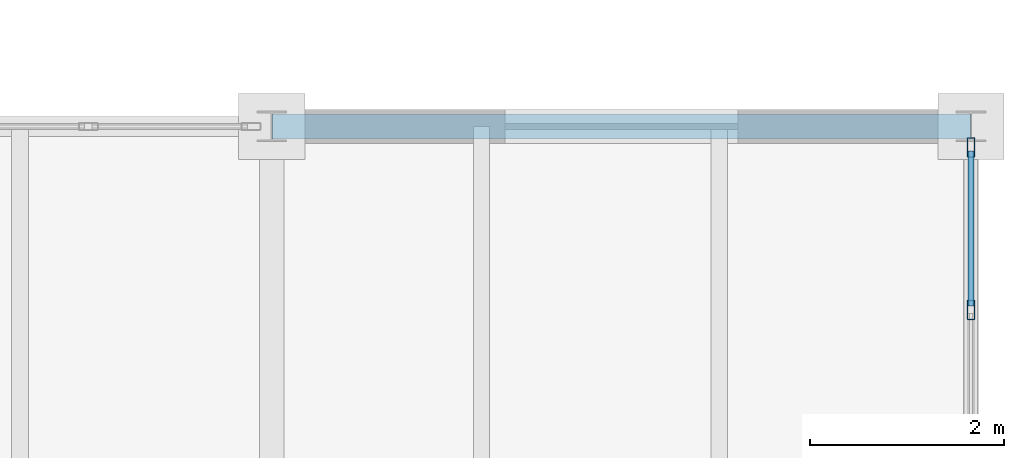
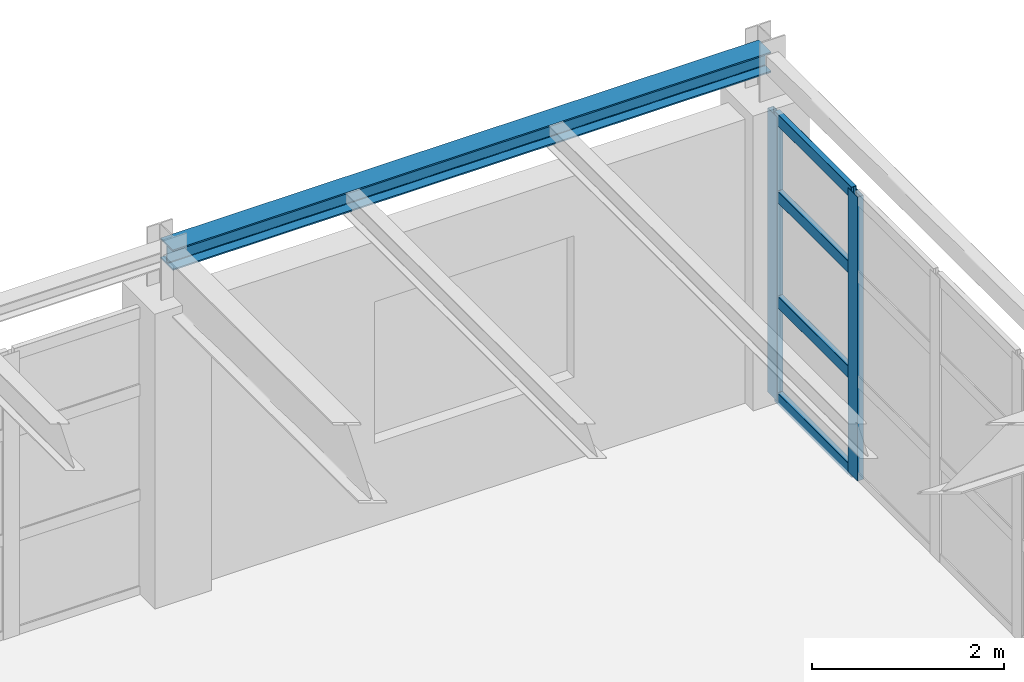
# One storey, part 102 of 137: 6 members, 1 beam, 1 element without a shape of its own.
"""IFC4 building model written with IfcOpenShell, lengths in metres."""

import ifcopenshell
import ifcopenshell.guid

model = None  # the IFC model being written
_history = None  # IfcOwnerHistory: only IFC2X3 demands one
_inside = {}  # id of a spatial element -> (the spatial element, [elements in it])
_under = {}  # id of a project, library or spatial element -> (it, [spatial elements below it])
_declared = {}  # id of a project -> (the project, [libraries it declares])
_typed = {}  # id of a type object -> (the type object, [elements of that type])
_made_of = {}  # id of a material, layer set ... -> (it, [elements and type objects made of it])


def new_model(schema):
    """Start an empty IFC model of exactly this schema.

    Asked for "IFC4X3", IfcOpenShell would pick the latest addendum, in which some entities
    have other attributes; the version numbers below select the first issue.
    IFC2X3 requires an IfcOwnerHistory on every rooted entity: one is made here for all.
    """
    global model, _history
    if schema == "IFC4X3":
        model = ifcopenshell.file(schema_version=(4, 3, 0, 0))
    else:
        model = ifcopenshell.file(schema=schema)
    _inside.clear()
    _under.clear()
    _declared.clear()
    _typed.clear()
    _made_of.clear()
    _history = None
    if model.schema == "IFC2X3":
        org = make("IfcOrganization", Name="unknown")
        user = make(
            "IfcPersonAndOrganization",
            ThePerson=make("IfcPerson", FamilyName="unknown"),
            TheOrganization=org,
        )
        app = make(
            "IfcApplication",
            ApplicationDeveloper=org,
            Version="unknown",
            ApplicationFullName="unknown",
            ApplicationIdentifier="unknown",
        )
        _history = make(
            "IfcOwnerHistory",
            OwningUser=user,
            OwningApplication=app,
            ChangeAction="ADDED",
            CreationDate=0,
        )
    return model


def make(cls, **values):
    """One entity of the class cls with the attributes given. An attribute that is None is left unset."""
    return model.create_entity(
        cls, **{name: value for name, value in values.items() if value is not None}
    )


def rooted(cls, **values):
    """An entity with a GlobalId (a new one), such as an element, a storey or a relation."""
    return make(cls, GlobalId=ifcopenshell.guid.new(), OwnerHistory=_history, **values)


def si_unit(unit_type, name, prefix=None):
    """IfcSIUnit, for example si_unit("LENGTHUNIT", "METRE", prefix="MILLI")."""
    return make("IfcSIUnit", UnitType=unit_type, Prefix=prefix, Name=name)


def assignment(units):
    """IfcUnitAssignment: the units of a project."""
    return None if units is None else make("IfcUnitAssignment", Units=units)


def point(xyz):
    """IfcCartesianPoint."""
    return None if xyz is None else make("IfcCartesianPoint", Coordinates=xyz)


def direction(xyz):
    """IfcDirection."""
    return None if xyz is None else make("IfcDirection", DirectionRatios=xyz)


def frame(location, z_axis=None, x_axis=None):
    """IfcAxis2Placement3D, a coordinate frame: its origin and axes. An axis left out is left unset."""
    return make(
        "IfcAxis2Placement3D",
        Location=point(location),
        Axis=direction(z_axis),
        RefDirection=direction(x_axis),
    )


def frame_2d(location, x_axis=None):
    """IfcAxis2Placement2D, a coordinate frame in the plane: its origin and x axis."""
    return make(
        "IfcAxis2Placement2D", Location=point(location), RefDirection=direction(x_axis)
    )


def origin():
    """The frame at (0, 0, 0) with its axes left unset."""
    return frame((0.0, 0.0, 0.0))


def origin_2d():
    """The frame at (0, 0) in the plane with its x axis left unset."""
    return frame_2d((0.0, 0.0))


def place(relative_to, where):
    """IfcLocalPlacement: puts the frame where relative to a parent placement (None: the world)."""
    return make(
        "IfcLocalPlacement", PlacementRelTo=relative_to, RelativePlacement=where
    )


def context(
    kind, dimensions, precision=None, world=None, true_north=None, identifier=None
):
    """IfcGeometricRepresentationContext, for example the 3D "Model" context."""
    return make(
        "IfcGeometricRepresentationContext",
        ContextIdentifier=identifier,
        ContextType=kind,
        CoordinateSpaceDimension=dimensions,
        Precision=precision,
        WorldCoordinateSystem=world,
        TrueNorth=true_north,
    )


def subcontext(parent, identifier, kind, view, scale=None):
    """IfcGeometricRepresentationSubContext, for example "Body" below "Model"."""
    return make(
        "IfcGeometricRepresentationSubContext",
        ContextIdentifier=identifier,
        ContextType=kind,
        ParentContext=parent,
        TargetScale=scale,
        TargetView=view,
    )


def project(units=None, contexts=None):
    """IfcProject with its units and contexts."""
    return rooted(
        "IfcProject",
        Name="project",
        RepresentationContexts=contexts,
        UnitsInContext=assignment(units),
    )


def spatial(cls, under=None, at=None, **own):
    """A site, building, storey or space (cls), placed at a placement, below another one or the project."""
    s = rooted(cls, ObjectPlacement=at, **own)
    if under is not None:
        _under.setdefault(under.id(), (under, []))[1].append(s)
    return s


def profile(cls, at=None, kind="AREA", **sizes):
    """A parametric profile (cls). Its sizes go by their IFC names, for example OverallWidth=200.0."""
    return make(cls, ProfileType=kind, Position=at, **sizes)


def hollow_rectangle(**sizes):
    """IfcRectangleHollowProfileDef."""
    return profile("IfcRectangleHollowProfileDef", **sizes)


def i_section(**sizes):
    """IfcIShapeProfileDef."""
    return profile("IfcIShapeProfileDef", **sizes)


def extrude(swept, where, along, depth):
    """IfcExtrudedAreaSolid: the profile swept, set in the frame where, extruded along a direction by depth."""
    return make(
        "IfcExtrudedAreaSolid",
        SweptArea=swept,
        Position=where,
        ExtrudedDirection=direction(along),
        Depth=depth,
    )


def shape(context_of_items, identifier, shape_type, items):
    """IfcShapeRepresentation: the items that make up one representation, for example the "Body"."""
    return make(
        "IfcShapeRepresentation",
        ContextOfItems=context_of_items,
        RepresentationIdentifier=identifier,
        RepresentationType=shape_type,
        Items=items,
    )


def material(Name=None, Category=None):
    """IfcMaterial."""
    return make("IfcMaterial", Name=Name, Category=Category)


def layer(
    of_material, thickness, ventilated=None, Name=None, Category=None, Priority=None
):
    """IfcMaterialLayer: one layer of a wall or slab, of a material (None: an air gap)."""
    return make(
        "IfcMaterialLayer",
        Material=of_material,
        LayerThickness=thickness,
        IsVentilated=ventilated,
        Name=Name,
        Category=Category,
        Priority=Priority,
    )


def layer_set(layers, Name=None):
    """IfcMaterialLayerSet."""
    return make("IfcMaterialLayerSet", MaterialLayers=layers, LayerSetName=Name)


def material_profile(
    of_material, cross_section, Name=None, Category=None, Priority=None
):
    """IfcMaterialProfile: a cross section and its material."""
    return make(
        "IfcMaterialProfile",
        Name=Name,
        Material=of_material,
        Profile=cross_section,
        Priority=Priority,
        Category=Category,
    )


def profile_set(profiles, Name=None, composite=None):
    """IfcMaterialProfileSet."""
    return make(
        "IfcMaterialProfileSet",
        Name=Name,
        MaterialProfiles=profiles,
        CompositeProfile=composite,
    )


def made_of(thing, what):
    """Note that an element or type object is made of a material, layer set ...; save() writes the relation."""
    if what is not None:
        _made_of.setdefault(what.id(), (what, []))[1].append(thing)
    return thing


def type_object(cls, material=None, **own):
    """A type object (cls), such as IfcWallType, which elements share."""
    return made_of(rooted(cls, **own), material)


def element(
    cls,
    number,
    at=None,
    inside=None,
    cuts=None,
    type_object=None,
    material=None,
    context=None,
    identifier="Body",
    shape_type=None,
    held_by="IfcProductDefinitionShape",
    body=None,
    shapes=None,
    **own,
):
    """One element of the class cls, such as IfcWall. Its Tag is "e" and its number.

    at: its placement. inside: the storey or other place that contains it. cuts: it is an
    opening in that element (IfcRelVoidsElement). A single representation is given by context,
    identifier, shape_type and body (its items); several are given by shapes. held_by: the class
    of the entity that holds the representations. save() writes the other relations.
    """
    e = rooted(cls, Tag="e%d" % number, ObjectPlacement=at, **own)
    if body is not None:
        shapes = [shape(context, identifier, shape_type, body)]
    if shapes is not None:
        e.Representation = make(held_by, Representations=shapes)
    if inside is not None:
        _inside.setdefault(inside.id(), (inside, []))[1].append(e)
    if cuts is not None:
        rooted(
            "IfcRelVoidsElement", RelatingBuildingElement=cuts, RelatedOpeningElement=e
        )
    if type_object is not None:
        _typed.setdefault(type_object.id(), (type_object, []))[1].append(e)
    return made_of(e, material)


def aggregate(whole, parts):
    """IfcRelAggregates: a whole, such as a stair, and the parts it consists of."""
    return rooted("IfcRelAggregates", RelatingObject=whole, RelatedObjects=parts)


def save(model, path):
    """Write the relations noted so far, then the file.

    IfcRelAggregates (storeys below a building ...), IfcRelContainedInSpatialStructure (elements
    in a storey), IfcRelDefinesByType, IfcRelAssociatesMaterial and IfcRelDeclares: one each for
    every whole, place, type object, material and project.
    """
    for whole, parts in _under.values():
        aggregate(whole, parts)
    for where, things in _inside.values():
        rooted(
            "IfcRelContainedInSpatialStructure",
            RelatedElements=things,
            RelatingStructure=where,
        )
    for kind, things in _typed.values():
        rooted("IfcRelDefinesByType", RelatedObjects=things, RelatingType=kind)
    for what, things in _made_of.values():
        rooted("IfcRelAssociatesMaterial", RelatedObjects=things, RelatingMaterial=what)
    for by, libraries in _declared.values():
        rooted("IfcRelDeclares", RelatingContext=by, RelatedDefinitions=libraries)
    model.write(path)


model = new_model("IFC4")

# Units and contexts
model_context = context("Model", 3, precision=1e-05, world=origin(), true_north=direction((0.0, 1.0)))
body_context = subcontext(model_context, "Body", "Model", "MODEL_VIEW")
ifc_project = project(units=[si_unit("LENGTHUNIT", "METRE"), si_unit("AREAUNIT", "SQUARE_METRE"), si_unit("VOLUMEUNIT", "CUBIC_METRE"), si_unit("PLANEANGLEUNIT", "RADIAN"), si_unit("MASSUNIT", "GRAM", prefix="KILO")], contexts=[model_context])

# Site, building, storey
site_placement = place(None, origin())
site = spatial("IfcSite", under=ifc_project, at=site_placement, CompositionType="ELEMENT")
building_placement = place(site_placement, origin())
building = spatial("IfcBuilding", under=site, at=building_placement, Name="Kemerveld Promenade Tramway Depot", CompositionType="ELEMENT")
storey_placement = place(building_placement, frame((0.0, 0.0, 5.39990234375)))
storey = spatial("IfcBuildingStorey", under=building, at=storey_placement, Name="L01", CompositionType="ELEMENT", Elevation=5.39990234375)

# Beam
ifc_material_1 = material(Name="Steel S355", Category="steel")
ifc_material_profile_1 = material_profile(ifc_material_1, i_section(OverallWidth=0.25634765625, OverallDepth=0.26025390625, WebThickness=0.01025390625, FlangeThickness=0.017333984375, FilletRadius=0.0126953125, at=origin_2d()), Name="254x254x89 UC")
ifc_profile_set_1 = profile_set([ifc_material_profile_1], Name="Steel S355")
beam_type = type_object("IfcBeamType", Name="BM-LN4", PredefinedType="LINTEL", material=ifc_profile_set_1)
beam_placement = place(storey_placement, frame((208.800048828125, 50.39990234375, 4.18994140625), z_axis=(1.0, 0.0, 0.0), x_axis=(0.0, 1.0, 0.0)))
element("IfcBeam", 1, at=beam_placement, inside=storey, type_object=beam_type, Name="BMX-L01-30-31-H", PredefinedType="LINTEL", context=body_context, shape_type="SweptSolid", body=[
    extrude(i_section(OverallWidth=0.25634765625, OverallDepth=0.26025390625, WebThickness=0.01025390625, FlangeThickness=0.017333984375, FilletRadius=0.0126953125, at=origin_2d()), origin(), (0.0, 0.0, 1.0), 7.199951171875),
])

# Curtain wall, members
ifc_material_2 = material(Name="Bronze anodised aluminium and solar glass", Category="aluminium")
ifc_layer = layer(ifc_material_2, 0.199951171875)
ifc_layer_set = layer_set([ifc_layer], Name="CW-SYS-04")
curtain_wall_type = type_object("IfcCurtainWallType", Name="CW-SYS-04", PredefinedType="USERDEFINED", material=ifc_layer_set)
curtain_wall_placement = place(storey_placement, origin())
curtain_wall = element("IfcCurtainWall", 2, at=curtain_wall_placement, inside=storey, type_object=curtain_wall_type, Name="CW-L01-V2E-01", ObjectType="GLAZED_CURTAIN_WALL", PredefinedType="USERDEFINED")
ifc_material_3 = material(Name="Bronze anodised aluminium", Category="aluminium")
ifc_material_profile_2 = material_profile(ifc_material_3, hollow_rectangle(XDim=0.074951171875, YDim=0.199951171875, WallThickness=0.0048828125, InnerFilletRadius=0.001953125, OuterFilletRadius=0.0048828125, at=origin_2d()), Name="CW-MUL-200x75")
ifc_profile_set_2 = profile_set([ifc_material_profile_2], Name="Bronze anodised aluminium")
member_type_1 = type_object("IfcMemberType", Name="CW-MUL-B", PredefinedType="MULLION", material=ifc_profile_set_2)
member_1_placement = place(storey_placement, frame((216.0, 50.185302734375, 0.0), z_axis=(0.0, 0.0, 1.0), x_axis=(1.0, 0.0, 0.0)))
member_1 = element("IfcMember", 3, at=member_1_placement, type_object=member_type_1, Name="CW04 mullion 1", PredefinedType="MULLION", context=body_context, shape_type="SweptSolid", body=[
    extrude(hollow_rectangle(XDim=0.074951171875, YDim=0.199951171875, WallThickness=0.0048828125, InnerFilletRadius=0.001953125, OuterFilletRadius=0.0048828125, at=origin_2d()), origin(), (0.0, 0.0, 1.0), 3.61279296875),
])
member_2_placement = place(storey_placement, frame((216.0, 48.51123046875, 0.0), z_axis=(0.0, 0.0, 1.0), x_axis=(1.0, 0.0, 0.0)))
member_2 = element("IfcMember", 4, at=member_2_placement, type_object=member_type_1, Name="CW04 mullion 2", PredefinedType="MULLION", context=body_context, shape_type="SweptSolid", body=[
    extrude(hollow_rectangle(XDim=0.074951171875, YDim=0.199951171875, WallThickness=0.0048828125, InnerFilletRadius=0.001953125, OuterFilletRadius=0.0048828125, at=origin_2d()), origin(), (0.0, 0.0, 1.0), 3.61279296875),
])
ifc_material_profile_3 = material_profile(ifc_material_3, hollow_rectangle(XDim=0.06494140625, YDim=0.14990234375, WallThickness=0.00439453125, InnerFilletRadius=0.001953125, OuterFilletRadius=0.00439453125, at=origin_2d()), Name="CW-TRN-150x65")
ifc_profile_set_3 = profile_set([ifc_material_profile_3], Name="Bronze anodised aluminium")
member_type_2 = type_object("IfcMemberType", Name="CW-TRN-B", PredefinedType="USERDEFINED", material=ifc_profile_set_3)
member_3_placement = place(storey_placement, frame((216.0, 50.147705078125, 0.03271484375), z_axis=(0.0, -1.0, 0.0), x_axis=(1.0, 0.0, 0.0)))
member_3 = element("IfcMember", 5, at=member_3_placement, type_object=member_type_2, Name="CW04 transom 1.1", ObjectType="TRANSOM", PredefinedType="USERDEFINED", context=body_context, shape_type="SweptSolid", body=[
    extrude(hollow_rectangle(XDim=0.06494140625, YDim=0.14990234375, WallThickness=0.00439453125, InnerFilletRadius=0.001953125, OuterFilletRadius=0.00439453125, at=origin_2d()), origin(), (0.0, 0.0, 1.0), 1.598876953125),
])
member_4_placement = place(storey_placement, frame((216.0, 50.147705078125, 1.26416015625), z_axis=(0.0, -1.0, 0.0), x_axis=(1.0, 0.0, 0.0)))
member_4 = element("IfcMember", 6, at=member_4_placement, type_object=member_type_2, Name="CW04 transom 1.2", ObjectType="TRANSOM", PredefinedType="USERDEFINED", context=body_context, shape_type="SweptSolid", body=[
    extrude(hollow_rectangle(XDim=0.06494140625, YDim=0.14990234375, WallThickness=0.00439453125, InnerFilletRadius=0.001953125, OuterFilletRadius=0.00439453125, at=origin_2d()), origin(), (0.0, 0.0, 1.0), 1.598876953125),
])
member_5_placement = place(storey_placement, frame((216.0, 50.147705078125, 2.60107421875), z_axis=(0.0, -1.0, 0.0), x_axis=(1.0, 0.0, 0.0)))
member_5 = element("IfcMember", 7, at=member_5_placement, type_object=member_type_2, Name="CW04 transom 1.3", ObjectType="TRANSOM", PredefinedType="USERDEFINED", context=body_context, shape_type="SweptSolid", body=[
    extrude(hollow_rectangle(XDim=0.06494140625, YDim=0.14990234375, WallThickness=0.00439453125, InnerFilletRadius=0.001953125, OuterFilletRadius=0.00439453125, at=origin_2d()), origin(), (0.0, 0.0, 1.0), 1.598876953125),
])
member_6_placement = place(storey_placement, frame((216.0, 50.147705078125, 3.580078125), z_axis=(0.0, -1.0, 0.0), x_axis=(1.0, 0.0, 0.0)))
member_6 = element("IfcMember", 8, at=member_6_placement, type_object=member_type_2, Name="CW04 transom 1.4", ObjectType="TRANSOM", PredefinedType="USERDEFINED", context=body_context, shape_type="SweptSolid", body=[
    extrude(hollow_rectangle(XDim=0.06494140625, YDim=0.14990234375, WallThickness=0.00439453125, InnerFilletRadius=0.001953125, OuterFilletRadius=0.00439453125, at=origin_2d()), origin(), (0.0, 0.0, 1.0), 1.598876953125),
])
aggregate(curtain_wall, [member_1, member_2, member_3, member_4, member_5, member_6])

save(model, "model.ifc")
